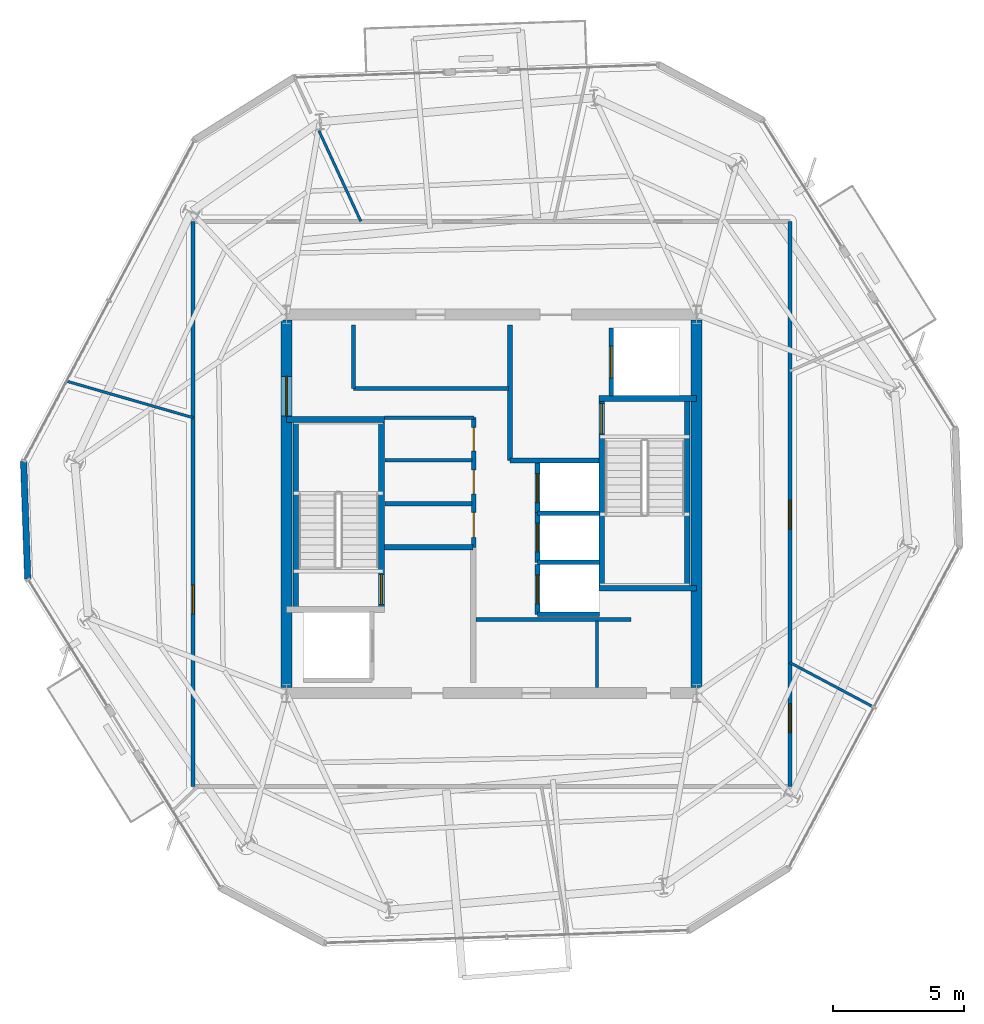
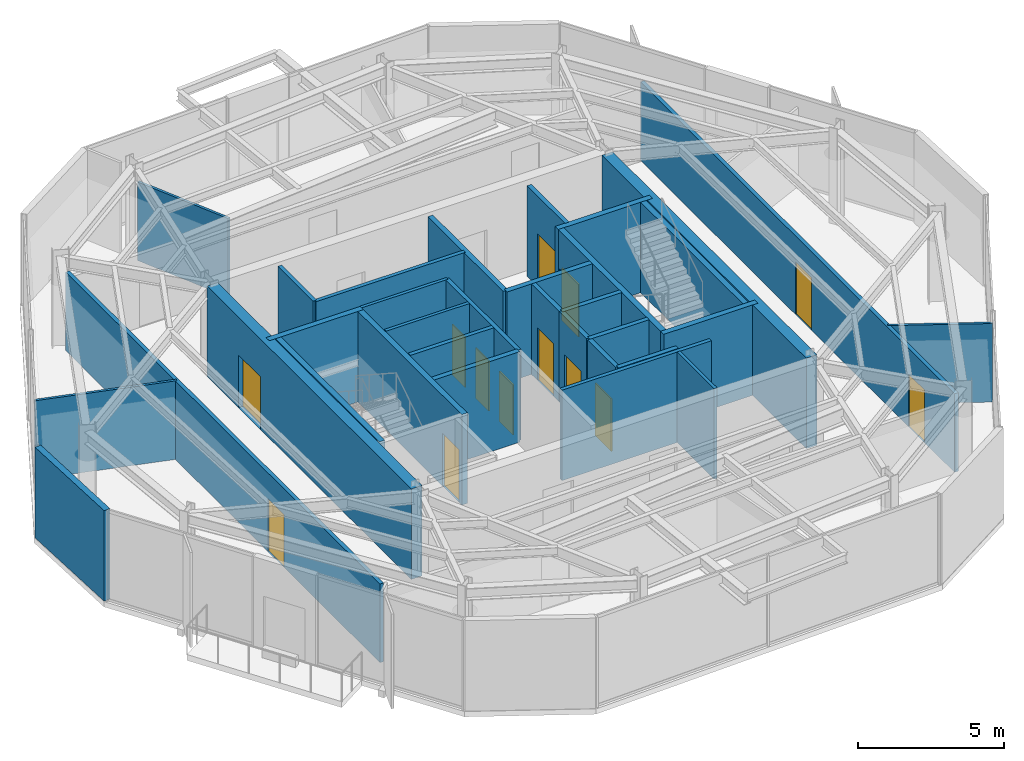
# One storey, part 6 of 11: 33 walls, 13 doors, 13 openings.
"""IFC4 building model written with IfcOpenShell, lengths in metres."""

from ifc_helpers import new_model, si_unit, direction, frame, frame_2d, origin, place, context, subcontext, project, spatial, rectangle, extrude, material, layer, layer_set, type_object, element, fill, save


model = new_model("IFC4")

# Units and contexts
model_context = context("Model", 3, precision=1e-05, world=origin(), true_north=direction((0.0, 1.0)))
body_context = subcontext(model_context, "Body", "Model", "MODEL_VIEW")
ifc_project = project(units=[si_unit("LENGTHUNIT", "METRE"), si_unit("AREAUNIT", "SQUARE_METRE"), si_unit("VOLUMEUNIT", "CUBIC_METRE"), si_unit("PLANEANGLEUNIT", "RADIAN"), si_unit("MASSUNIT", "GRAM", prefix="KILO")], contexts=[model_context])

# Site, building, storey
site_placement = place(None, origin())
site = spatial("IfcSite", under=ifc_project, at=site_placement, CompositionType="ELEMENT")
building_placement = place(site_placement, origin())
building = spatial("IfcBuilding", under=site, at=building_placement, Name="Kranzbogen Civic Tower", CompositionType="ELEMENT")
storey_placement = place(building_placement, frame((0.0, 0.0, 274.199951171875)))
storey = spatial("IfcBuildingStorey", under=building, at=storey_placement, Name="L66", CompositionType="ELEMENT", Elevation=274.199951171875)

# Walls
ifc_material_1 = material(Name="Double-Stud Acoustic Gypsum Partition")
ifc_layer_1 = layer(ifc_material_1, 0.14990234375, Name="Double-Stud Acoustic Gypsum Partition")
ifc_layer_set_1 = layer_set([ifc_layer_1], Name="Double-Stud Acoustic Gypsum Partition")
wall_type_1 = type_object("IfcWallType", Name="Acoustic Corridor and Clinical Partition 150 mm", PredefinedType="PARTITIONING", material=ifc_layer_set_1)
wall_1_placement = place(storey_placement, frame((24.39990234375, 20.610107421875, 0.0), z_axis=(0.0, 0.0, 1.0), x_axis=(1.0, 0.0, 0.0)))
element("IfcWall", 1, at=wall_1_placement, inside=storey, type_object=wall_type_1, Name="L66 records zone North wall", PredefinedType="PARTITIONING", context=body_context, shape_type="SweptSolid", body=[
    extrude(rectangle(XDim=5.900146484375, YDim=0.14990234375, at=frame_2d((2.9501953125, 0.0))), origin(), (0.0, 0.0, 1.0), 3.780029296875),
])
wall_2_placement = place(storey_placement, frame((19.75, 29.389892578125, 0.0), z_axis=(0.0, 0.0, 1.0), x_axis=(1.0, 0.0, 0.0)))
element("IfcWall", 2, at=wall_2_placement, inside=storey, type_object=wall_type_1, Name="L66 digital comms South wall", PredefinedType="PARTITIONING", context=body_context, shape_type="SweptSolid", body=[
    extrude(rectangle(XDim=5.89990234375, YDim=0.14990234375, at=frame_2d((2.949951171875, 0.0))), origin(), (0.0, 0.0, 1.0), 3.780029296875),
])
wall_3_placement = place(storey_placement, frame((19.75, 29.389892578125, 0.0), z_axis=(0.0, 0.0, 1.0), x_axis=(0.0, 1.0, 0.0)))
element("IfcWall", 3, at=wall_3_placement, inside=storey, type_object=wall_type_1, Name="L66 digital comms West wall", PredefinedType="PARTITIONING", context=body_context, shape_type="SweptSolid", body=[
    extrude(rectangle(XDim=2.41015625, YDim=0.14990234375, at=frame_2d((1.205078125, 0.0))), origin(), (0.0, 0.0, 1.0), 3.780029296875),
])

# Wall, openings, doors
wall_4_placement = place(storey_placement, frame((36.35009765625, 35.75, 0.0), z_axis=(0.0, 0.0, 1.0), x_axis=(0.0, -1.0, 0.0)))
wall_4 = element("IfcWall", 4, at=wall_4_placement, inside=storey, type_object=wall_type_1, Name="L66 corridor partition 02", PredefinedType="PARTITIONING", context=body_context, shape_type="SweptSolid", body=[
    extrude(rectangle(XDim=21.5, YDim=0.14990234375, at=frame_2d((10.75, 0.0))), origin(), (0.0, 0.0, 1.0), 3.280029296875),
])
opening_1_placement = place(wall_4_placement, frame((18.343994140625, 0.0, 0.0)))
opening_1 = element("IfcOpeningElement", 5, at=opening_1_placement, cuts=wall_4, Name="Opening D-COR60", PredefinedType="OPENING", context=body_context, shape_type="SweptSolid", body=[
    extrude(rectangle(XDim=1.10009765625, YDim=2.199951171875, at=frame_2d((0.550048828125, 1.10009765625))), frame((0.0, 0.0849609375, 0.0), z_axis=(0.0, -1.0, 0.0), x_axis=(1.0, 0.0, 0.0)), (0.0, 0.0, 1.0), 0.169921875),
])
opening_2_placement = place(wall_4_placement, frame((10.60595703125, 0.0, 0.0)))
opening_2 = element("IfcOpeningElement", 6, at=opening_2_placement, cuts=wall_4, Name="Opening D-COR60", PredefinedType="OPENING", context=body_context, shape_type="SweptSolid", body=[
    extrude(rectangle(XDim=1.10009765625, YDim=2.199951171875, at=frame_2d((0.550048828125, 1.10009765625))), frame((0.0, 0.0849609375, 0.0), z_axis=(0.0, -1.0, 0.0), x_axis=(1.0, 0.0, 0.0)), (0.0, 0.0, 1.0), 0.169921875),
])
ifc_material_2 = material(Name="Oak Timber and Fire Core", Category="wood")
door_type_1 = type_object("IfcDoorType", Name="Corridor Acoustic Fire Door 1100x2200", OperationType="NOTDEFINED", PredefinedType="DOOR", material=ifc_material_2)
door_1_placement = place(opening_1_placement, origin())
door_1 = element("IfcDoor", 7, at=door_1_placement, inside=storey, type_object=door_type_1, Name="L66 Duty Crew Control Room door", OperationType="SINGLE_SWING_LEFT", OverallHeight=2.199951171875, OverallWidth=1.10009765625, PredefinedType="DOOR", context=body_context, shape_type="SweptSolid", body=[
    extrude(rectangle(XDim=1.10009765625, YDim=2.199951171875, at=frame_2d((0.550048828125, 1.10009765625))), frame((0.0, 0.02490234375, 0.0), z_axis=(0.0, -1.0, 0.0), x_axis=(1.0, 0.0, 0.0)), (0.0, 0.0, 1.0), 0.050048828125),
])
fill(opening_1, door_1)
door_2_placement = place(opening_2_placement, origin())
door_2 = element("IfcDoor", 8, at=door_2_placement, inside=storey, type_object=door_type_1, Name="L66 Staff Tea Pantry door", OperationType="SINGLE_SWING_RIGHT", OverallHeight=2.199951171875, OverallWidth=1.10009765625, PredefinedType="DOOR", context=body_context, shape_type="SweptSolid", body=[
    extrude(rectangle(XDim=1.10009765625, YDim=2.199951171875, at=frame_2d((0.550048828125, 1.10009765625))), frame((0.0, 0.02490234375, 0.0), z_axis=(0.0, -1.0, 0.0), x_axis=(1.0, 0.0, 0.0)), (0.0, 0.0, 1.0), 0.050048828125),
])
fill(opening_2, door_2)

# Wall, opening, door
wall_5_placement = place(storey_placement, frame((13.64990234375, 14.25, 0.0), z_axis=(0.0, 0.0, 1.0), x_axis=(0.0, 1.0, 0.0)))
wall_5 = element("IfcWall", 9, at=wall_5_placement, inside=storey, type_object=wall_type_1, Name="L66 corridor partition 04", PredefinedType="PARTITIONING", context=body_context, shape_type="SweptSolid", body=[
    extrude(rectangle(XDim=21.5, YDim=0.14990234375, at=frame_2d((10.75, 0.0))), origin(), (0.0, 0.0, 1.0), 3.280029296875),
])
opening_3_placement = place(wall_5_placement, frame((6.568115234375, 0.0, 0.0)))
opening_3 = element("IfcOpeningElement", 10, at=opening_3_placement, cuts=wall_5, Name="Opening D-COR60", PredefinedType="OPENING", context=body_context, shape_type="SweptSolid", body=[
    extrude(rectangle(XDim=1.10009765625, YDim=2.199951171875, at=frame_2d((0.550048828125, 1.10009765625))), frame((0.0, 0.0849609375, 0.0), z_axis=(0.0, -1.0, 0.0), x_axis=(1.0, 0.0, 0.0)), (0.0, 0.0, 1.0), 0.169921875),
])
door_3_placement = place(opening_3_placement, origin())
door_3 = element("IfcDoor", 11, at=door_3_placement, inside=storey, type_object=door_type_1, Name="L66 Operations Security Control Room door", OperationType="SINGLE_SWING_LEFT", OverallHeight=2.199951171875, OverallWidth=1.10009765625, PredefinedType="DOOR", context=body_context, shape_type="SweptSolid", body=[
    extrude(rectangle(XDim=1.10009765625, YDim=2.199951171875, at=frame_2d((0.550048828125, 1.10009765625))), frame((0.0, 0.02490234375, 0.0), z_axis=(0.0, -1.0, 0.0), x_axis=(1.0, 0.0, 0.0)), (0.0, 0.0, 1.0), 0.050048828125),
])
fill(opening_3, door_3)

# Walls
ifc_material_3 = material(Name="Insulated Metal-Stud Gypsum Partition")
ifc_layer_2 = layer(ifc_material_3, 0.125, Name="Insulated Metal-Stud Gypsum Partition")
ifc_layer_set_2 = layer_set([ifc_layer_2], Name="Insulated Metal-Stud Gypsum Partition")
wall_type_2 = type_object("IfcWallType", Name="Acoustic Inter-Room Partition 125 mm", PredefinedType="PARTITIONING", material=ifc_layer_set_2)
wall_6_placement = place(storey_placement, frame((20.919921875, 28.280029296875, 0.0), z_axis=(0.0, 0.0, 1.0), x_axis=(1.0, 0.0, 0.0)))
element("IfcWall", 12, at=wall_6_placement, inside=storey, type_object=wall_type_2, Name="L66 core auxiliary North wall", PredefinedType="PARTITIONING", context=body_context, shape_type="SweptSolid", body=[
    extrude(rectangle(XDim=3.405029296875, YDim=0.125, at=frame_2d((1.70263671875, 0.0))), origin(), (0.0, 0.0, 1.0), 3.780029296875),
])
wall_7_placement = place(storey_placement, frame((29.010009765625, 18.010009765625, 0.0), z_axis=(0.0, 0.0, 1.0), x_axis=(0.0, 1.0, 0.0)))
element("IfcWall", 13, at=wall_7_placement, inside=storey, type_object=wall_type_2, Name="L66 core auxiliary partition 1", PredefinedType="PARTITIONING", context=body_context, shape_type="SweptSolid", body=[
    extrude(rectangle(XDim=2.5400390625, YDim=0.125, at=frame_2d((1.27001953125, 0.0))), origin(), (0.0, 0.0, 1.0), 3.780029296875),
])
wall_8_placement = place(storey_placement, frame((20.949951171875, 26.659912109375, 0.0), z_axis=(0.0, 0.0, 1.0), x_axis=(1.0, 0.0, 0.0)))
element("IfcWall", 14, at=wall_8_placement, inside=storey, type_object=wall_type_2, Name="L66 core auxiliary partition 3", PredefinedType="PARTITIONING", context=body_context, shape_type="SweptSolid", body=[
    extrude(rectangle(XDim=3.300048828125, YDim=0.125, at=frame_2d((1.64990234375, 0.0))), origin(), (0.0, 0.0, 1.0), 3.780029296875),
])

# Wall, opening, door
ifc_material_4 = material(Name="Concrete C45/55", Category="concrete")
ifc_layer_3 = layer(ifc_material_4, 0.419921875, Name="Concrete C45/55")
ifc_layer_set_3 = layer_set([ifc_layer_3], Name="Concrete C45/55")
wall_type_3 = type_object("IfcWallType", Name="Central Core Shear Wall 420 mm", PredefinedType="SHEAR", material=ifc_layer_set_3)
wall_9_placement = place(storey_placement, frame((17.199951171875, 31.989990234375, 0.0), z_axis=(0.0, 0.0, 1.0), x_axis=(0.0, -1.0, 0.0)))
wall_9 = element("IfcWall", 15, at=wall_9_placement, inside=storey, type_object=wall_type_3, Name="L66 central core West shear wall", PredefinedType="SHEAR", context=body_context, shape_type="SweptSolid", body=[
    extrude(rectangle(XDim=13.97998046875, YDim=0.419921875, at=frame_2d((6.989990234375, 0.0))), origin(), (0.0, 0.0, 1.0), 3.780029296875),
])
opening_4_placement = place(wall_9_placement, frame((2.139892578125, 0.0, 0.0)))
opening_4 = element("IfcOpeningElement", 16, at=opening_4_placement, cuts=wall_9, Name="Opening D-DBL15", PredefinedType="OPENING", context=body_context, shape_type="SweptSolid", body=[
    extrude(rectangle(XDim=1.5, YDim=2.199951171875, at=frame_2d((0.75, 1.10009765625))), frame((0.0, 0.219970703125, 0.0), z_axis=(0.0, -1.0, 0.0), x_axis=(1.0, 0.0, 0.0)), (0.0, 0.0, 1.0), 0.43994140625),
])
ifc_material_5 = material(Name="Anodised Bronze and Glass", Category="glass")
door_type_2 = type_object("IfcDoorType", Name="Civic Lobby Double Door 1500x2200", OperationType="DOUBLE_DOOR_SINGLE_SWING", PredefinedType="DOOR", material=ifc_material_5)
door_4_placement = place(opening_4_placement, origin())
door_4 = element("IfcDoor", 17, at=door_4_placement, inside=storey, type_object=door_type_2, Name="L66 Central Lift Lobby West concourse door", OperationType="DOUBLE_DOOR_SINGLE_SWING", OverallHeight=2.199951171875, OverallWidth=1.5, PredefinedType="DOOR", context=body_context, shape_type="SweptSolid", body=[
    extrude(rectangle(XDim=1.5, YDim=2.199951171875, at=frame_2d((0.75, 1.10009765625))), frame((0.0, 0.02490234375, 0.0), z_axis=(0.0, -1.0, 0.0), x_axis=(1.0, 0.0, 0.0)), (0.0, 0.0, 1.0), 0.050048828125),
])
fill(opening_4, door_4)

# Wall
wall_10_placement = place(storey_placement, frame((32.800048828125, 18.010009765625, 0.0), z_axis=(0.0, 0.0, 1.0), x_axis=(0.0, 1.0, 0.0)))
element("IfcWall", 18, at=wall_10_placement, inside=storey, type_object=wall_type_3, Name="L66 central core East shear wall", PredefinedType="SHEAR", context=body_context, shape_type="SweptSolid", body=[
    extrude(rectangle(XDim=13.97998046875, YDim=0.419921875, at=frame_2d((6.989990234375, 0.0))), origin(), (0.0, 0.0, 1.0), 3.780029296875),
])

# Wall, opening, door
ifc_layer_4 = layer(ifc_material_4, 0.219970703125, Name="Concrete C45/55")
ifc_layer_set_4 = layer_set([ifc_layer_4], Name="Concrete C45/55")
wall_type_4 = type_object("IfcWallType", Name="Core Internal Stair Structural Wall 220 mm", PredefinedType="SOLIDWALL", material=ifc_layer_set_4)
wall_11_placement = place(storey_placement, frame((20.81005859375, 20.989990234375, 0.0), z_axis=(0.0, 0.0, 1.0), x_axis=(0.0, 1.0, 0.0)))
wall_11 = element("IfcWall", 19, at=wall_11_placement, inside=storey, type_object=wall_type_4, Name="L66 ST-T1 East structural stair wall", PredefinedType="SOLIDWALL", context=body_context, shape_type="SweptSolid", body=[
    extrude(rectangle(XDim=7.219970703125, YDim=0.219970703125, at=frame_2d((3.60986328125, 0.0))), origin(), (0.0, 0.0, 1.0), 3.780029296875),
])
opening_5_placement = place(wall_11_placement, frame((0.179931640625, 0.0, 0.0)))
opening_5 = element("IfcOpeningElement", 20, at=opening_5_placement, cuts=wall_11, Name="Opening D-ST90", PredefinedType="OPENING", context=body_context, shape_type="SweptSolid", body=[
    extrude(rectangle(XDim=1.14990234375, YDim=2.199951171875, at=frame_2d((0.574951171875, 1.10009765625))), frame((0.0, 0.1201171875, 0.0), z_axis=(0.0, -1.0, 0.0), x_axis=(1.0, 0.0, 0.0)), (0.0, 0.0, 1.0), 0.239990234375),
])
ifc_material_6 = material(Name="Steel S355", Category="steel")
door_type_3 = type_object("IfcDoorType", Name="Pressurized Stair and Lobby Fire Door 1150x2200", OperationType="NOTDEFINED", PredefinedType="DOOR", material=ifc_material_6)
door_5_placement = place(opening_5_placement, origin())
door_5 = element("IfcDoor", 21, at=door_5_placement, inside=storey, type_object=door_type_3, Name="L66 Stair ST-T1 fire door", OperationType="SINGLE_SWING_LEFT", OverallHeight=2.199951171875, OverallWidth=1.14990234375, PredefinedType="DOOR", context=body_context, shape_type="SweptSolid", body=[
    extrude(rectangle(XDim=1.14990234375, YDim=2.199951171875, at=frame_2d((0.574951171875, 1.10009765625))), frame((0.0, 0.02490234375, 0.0), z_axis=(0.0, -1.0, 0.0), x_axis=(1.0, 0.0, 0.0)), (0.0, 0.0, 1.0), 0.050048828125),
])
fill(opening_5, door_5)

# Walls
wall_12_placement = place(storey_placement, frame((17.199951171875, 28.2099609375, 0.0), z_axis=(0.0, 0.0, 1.0), x_axis=(1.0, 0.0, 0.0)))
element("IfcWall", 22, at=wall_12_placement, inside=storey, type_object=wall_type_4, Name="L66 ST-T1 North structural stair wall", PredefinedType="SOLIDWALL", context=body_context, shape_type="SweptSolid", body=[
    extrude(rectangle(XDim=3.719970703125, YDim=0.219970703125, at=frame_2d((1.85986328125, 0.0))), origin(), (0.0, 0.0, 1.0), 3.780029296875),
])
wall_13_placement = place(storey_placement, frame((17.554931640625, 28.2099609375, 0.0), z_axis=(0.0, 0.0, 1.0), x_axis=(0.0, -1.0, 0.0)))
element("IfcWall", 23, at=wall_13_placement, inside=storey, type_object=wall_type_4, Name="L66 ST-T1 West structural stair wall", PredefinedType="SOLIDWALL", context=body_context, shape_type="SweptSolid", body=[
    extrude(rectangle(XDim=7.219970703125, YDim=0.219970703125, at=frame_2d((3.60986328125, 0.0))), origin(), (0.0, 0.0, 1.0), 3.780029296875),
])

# Wall, opening, door
wall_14_placement = place(storey_placement, frame((29.18994140625, 21.7900390625, 0.0), z_axis=(0.0, 0.0, 1.0), x_axis=(0.0, 1.0, 0.0)))
wall_14 = element("IfcWall", 24, at=wall_14_placement, inside=storey, type_object=wall_type_4, Name="L66 ST-T2 West structural stair wall", PredefinedType="SOLIDWALL", context=body_context, shape_type="SweptSolid", body=[
    extrude(rectangle(XDim=7.219970703125, YDim=0.219970703125, at=frame_2d((3.60986328125, 0.0))), origin(), (0.0, 0.0, 1.0), 3.780029296875),
])
opening_6_placement = place(wall_14_placement, frame((5.8798828125, 0.0, 0.0)))
opening_6 = element("IfcOpeningElement", 25, at=opening_6_placement, cuts=wall_14, Name="Opening D-ST90", PredefinedType="OPENING", context=body_context, shape_type="SweptSolid", body=[
    extrude(rectangle(XDim=1.14990234375, YDim=2.199951171875, at=frame_2d((0.574951171875, 1.10009765625))), frame((0.0, 0.1201171875, 0.0), z_axis=(0.0, -1.0, 0.0), x_axis=(1.0, 0.0, 0.0)), (0.0, 0.0, 1.0), 0.239990234375),
])
door_6_placement = place(opening_6_placement, origin())
door_6 = element("IfcDoor", 26, at=door_6_placement, inside=storey, type_object=door_type_3, Name="L66 Stair ST-T2 fire door", OperationType="SINGLE_SWING_RIGHT", OverallHeight=2.199951171875, OverallWidth=1.14990234375, PredefinedType="DOOR", context=body_context, shape_type="SweptSolid", body=[
    extrude(rectangle(XDim=1.14990234375, YDim=2.199951171875, at=frame_2d((0.574951171875, 1.10009765625))), frame((0.0, 0.02490234375, 0.0), z_axis=(0.0, -1.0, 0.0), x_axis=(1.0, 0.0, 0.0)), (0.0, 0.0, 1.0), 0.050048828125),
])
fill(opening_6, door_6)

# Walls
for number, where, z_axis, x_axis, name in (
    (27, (29.080078125, 21.7900390625, 0.0), (0.0, 0.0, 1.0), (1.0, 0.0, 0.0), "L66 ST-T2 South structural stair wall"),
    (28, (29.080078125, 29.010009765625, 0.0), (0.0, 0.0, 1.0), (1.0, 0.0, 0.0), "L66 ST-T2 North structural stair wall"),
):
    element("IfcWall", number, at=place(storey_placement, frame(where, z_axis=z_axis, x_axis=x_axis)), inside=storey, type_object=wall_type_4, Name=name, PredefinedType="SOLIDWALL", context=body_context, shape_type="SweptSolid", body=[
        extrude(rectangle(XDim=3.719970703125, YDim=0.219970703125, at=frame_2d((1.85986328125, 0.0))), origin(), (0.0, 0.0, 1.0), 3.780029296875),
    ])
wall_15_placement = place(storey_placement, frame((32.445068359375, 29.010009765625, 0.0), z_axis=(0.0, 0.0, 1.0), x_axis=(0.0, -1.0, 0.0)))
element("IfcWall", 29, at=wall_15_placement, inside=storey, type_object=wall_type_4, Name="L66 ST-T2 East structural stair wall", PredefinedType="SOLIDWALL", context=body_context, shape_type="SweptSolid", body=[
    extrude(rectangle(XDim=7.219970703125, YDim=0.219970703125, at=frame_2d((3.60986328125, 0.0))), origin(), (0.0, 0.0, 1.0), 3.780029296875),
])
ifc_material_7 = material(Name="Demountable Aluminium and Gypsum Partition", Category="aluminium")
ifc_layer_5 = layer(ifc_material_7, 0.10009765625, Name="Demountable Aluminium and Gypsum Partition")
ifc_layer_set_5 = layer_set([ifc_layer_5], Name="Demountable Aluminium and Gypsum Partition")
wall_type_5 = type_object("IfcWallType", Name="Demountable Office Partition 100 mm", PredefinedType="MOVABLE", material=ifc_layer_set_5)
wall_16_placement = place(storey_placement, frame((20.027099609375, 35.75, 0.0), z_axis=(0.0, 0.0, 1.0), x_axis=(-0.419820544202, 0.907607134539, 0.0)))
element("IfcWall", 30, at=wall_16_placement, inside=storey, type_object=wall_type_5, Name="L66 radial room partition 01 part 1", PredefinedType="MOVABLE", context=body_context, shape_type="SweptSolid", body=[
    extrude(rectangle(XDim=3.796875, YDim=0.10009765625, at=frame_2d((1.8984375, 0.0))), origin(), (0.0, 0.0, 1.0), 3.280029296875),
])
wall_17_placement = place(storey_placement, frame((13.64990234375, 28.280029296875, 0.0), z_axis=(0.0, 0.0, 1.0), x_axis=(-0.960722281135, 0.277511618731, 0.0)))
element("IfcWall", 31, at=wall_17_placement, inside=storey, type_object=wall_type_5, Name="L66 radial room partition 02", PredefinedType="MOVABLE", context=body_context, shape_type="SweptSolid", body=[
    extrude(rectangle(XDim=5.00146484375, YDim=0.10009765625, at=frame_2d((2.500732421875, 0.0))), origin(), (0.0, 0.0, 1.0), 3.280029296875),
])
wall_18_placement = place(storey_placement, frame((36.35009765625, 18.965087890625, 0.0), z_axis=(0.0, 0.0, 1.0), x_axis=(0.882958513107, -0.46945102421, 0.0)))
element("IfcWall", 32, at=wall_18_placement, inside=storey, type_object=wall_type_5, Name="L66 radial room partition 05", PredefinedType="MOVABLE", context=body_context, shape_type="SweptSolid", body=[
    extrude(rectangle(XDim=3.600341796875, YDim=0.10009765625, at=frame_2d((1.80029296875, 0.0))), origin(), (0.0, 0.0, 1.0), 3.280029296875),
])
ifc_material_8 = material(Name="Gypsum Fireboard and Concrete Block", Category="concrete")
ifc_layer_6 = layer(ifc_material_8, 0.199951171875, Name="Gypsum Fireboard and Concrete Block")
ifc_layer_set_6 = layer_set([ifc_layer_6], Name="Gypsum Fireboard and Concrete Block")
wall_type_6 = type_object("IfcWallType", Name="Fire-Rated Exit Passageway and Stair Wall 200 mm", PredefinedType="PARTITIONING", material=ifc_layer_set_6)
wall_19_placement = place(storey_placement, frame((20.919921875, 23.35009765625, 0.0), z_axis=(0.0, 0.0, 1.0), x_axis=(1.0, 0.0, 0.0)))
element("IfcWall", 33, at=wall_19_placement, inside=storey, type_object=wall_type_6, Name="L66 West firefighting lobby North wall", PredefinedType="PARTITIONING", context=body_context, shape_type="SweptSolid", body=[
    extrude(rectangle(XDim=3.380126953125, YDim=0.199951171875, at=frame_2d((1.68994140625, 0.0))), origin(), (0.0, 0.0, 1.0), 3.780029296875),
])
wall_20_placement = place(storey_placement, frame((25.699951171875, 26.64990234375, 0.0), z_axis=(0.0, 0.0, 1.0), x_axis=(0.0, 1.0, 0.0)))
element("IfcWall", 34, at=wall_20_placement, inside=storey, type_object=wall_type_6, Name="L66 East firefighting lobby West wall", PredefinedType="PARTITIONING", context=body_context, shape_type="SweptSolid", body=[
    extrude(rectangle(XDim=5.150146484375, YDim=0.199951171875, at=frame_2d((2.5751953125, 0.0))), origin(), (0.0, 0.0, 1.0), 3.780029296875),
])
wall_21_placement = place(storey_placement, frame((25.699951171875, 26.64990234375, 0.0), z_axis=(0.0, 0.0, 1.0), x_axis=(1.0, 0.0, 0.0)))
element("IfcWall", 35, at=wall_21_placement, inside=storey, type_object=wall_type_6, Name="L66 East firefighting lobby South wall", PredefinedType="PARTITIONING", context=body_context, shape_type="SweptSolid", body=[
    extrude(rectangle(XDim=3.380126953125, YDim=0.199951171875, at=frame_2d((1.68994140625, 0.0))), origin(), (0.0, 0.0, 1.0), 3.780029296875),
])

# Wall, opening, door
ifc_material_9 = material(Name="Gypsum Fireboard Shaftliner")
ifc_layer_7 = layer(ifc_material_9, 0.175048828125, Name="Gypsum Fireboard Shaftliner")
ifc_layer_set_7 = layer_set([ifc_layer_7], Name="Gypsum Fireboard Shaftliner")
wall_type_7 = type_object("IfcWallType", Name="Fire-Rated Lift and Service Shaft Wall 175 mm", PredefinedType="PARTITIONING", material=ifc_layer_set_7)
wall_22_placement = place(storey_placement, frame((26.75, 20.800048828125, 0.0), z_axis=(0.0, 0.0, 1.0), x_axis=(0.0, 1.0, 0.0)))
wall_22 = element("IfcWall", 36, at=wall_22_placement, inside=storey, type_object=wall_type_7, Name="L66 lift HP-01 landing wall", PredefinedType="PARTITIONING", context=body_context, shape_type="SweptSolid", body=[
    extrude(rectangle(XDim=1.89990234375, YDim=0.175048828125, at=frame_2d((0.949951171875, 0.0))), origin(), (0.0, 0.0, 1.0), 3.780029296875),
])
opening_7_placement = place(wall_22_placement, frame((0.39990234375, 0.0, 0.0)))
opening_7 = element("IfcOpeningElement", 37, at=opening_7_placement, cuts=wall_22, Name="Opening LD-HP-01", PredefinedType="OPENING", context=body_context, shape_type="SweptSolid", body=[
    extrude(rectangle(XDim=1.10009765625, YDim=2.199951171875, at=frame_2d((0.550048828125, 1.10009765625))), frame((0.0, 0.09765625, 0.0), z_axis=(0.0, -1.0, 0.0), x_axis=(1.0, 0.0, 0.0)), (0.0, 0.0, 1.0), 0.195068359375),
])
ifc_material_10 = material(Name="Pale Anodised Aluminium", Category="aluminium")
door_type_4 = type_object("IfcDoorType", Name="Passenger Lift Sliding Landing Door 1100x2200", OperationType="DOUBLE_DOOR_SLIDING", PredefinedType="DOOR", material=ifc_material_10)
door_7_placement = place(opening_7_placement, origin())
door_7 = element("IfcDoor", 38, at=door_7_placement, inside=storey, type_object=door_type_4, Name="L66 lift HP-01 sliding landing door", OperationType="DOUBLE_DOOR_SLIDING", OverallHeight=2.199951171875, OverallWidth=1.10009765625, PredefinedType="DOOR", context=body_context, shape_type="SweptSolid", body=[
    extrude(rectangle(XDim=1.10009765625, YDim=2.199951171875, at=frame_2d((0.550048828125, 1.10009765625))), frame((0.0, 0.02490234375, 0.0), z_axis=(0.0, -1.0, 0.0), x_axis=(1.0, 0.0, 0.0)), (0.0, 0.0, 1.0), 0.050048828125),
])
fill(opening_7, door_7)

# Wall
wall_23_placement = place(storey_placement, frame((26.75, 20.800048828125, 0.0), z_axis=(0.0, 0.0, 1.0), x_axis=(1.0, 0.0, 0.0)))
element("IfcWall", 39, at=wall_23_placement, inside=storey, type_object=wall_type_7, Name="L66 lift HP-01 side wall", PredefinedType="PARTITIONING", context=body_context, shape_type="SweptSolid", body=[
    extrude(rectangle(XDim=2.35009765625, YDim=0.175048828125, at=frame_2d((1.175048828125, 0.0))), origin(), (0.0, 0.0, 1.0), 3.780029296875),
])

# Wall, opening, door
wall_24_placement = place(storey_placement, frame((26.75, 22.77490234375, 0.0), z_axis=(0.0, 0.0, 1.0), x_axis=(0.0, 1.0, 0.0)))
wall_24 = element("IfcWall", 40, at=wall_24_placement, inside=storey, type_object=wall_type_7, Name="L66 lift HP-02 landing wall", PredefinedType="PARTITIONING", context=body_context, shape_type="SweptSolid", body=[
    extrude(rectangle(XDim=1.900146484375, YDim=0.175048828125, at=frame_2d((0.9501953125, 0.0))), origin(), (0.0, 0.0, 1.0), 3.780029296875),
])
opening_8_placement = place(wall_24_placement, frame((0.39990234375, 0.0, 0.0)))
opening_8 = element("IfcOpeningElement", 41, at=opening_8_placement, cuts=wall_24, Name="Opening LD-HP-02", PredefinedType="OPENING", context=body_context, shape_type="SweptSolid", body=[
    extrude(rectangle(XDim=1.10009765625, YDim=2.199951171875, at=frame_2d((0.550048828125, 1.10009765625))), frame((0.0, 0.09765625, 0.0), z_axis=(0.0, -1.0, 0.0), x_axis=(1.0, 0.0, 0.0)), (0.0, 0.0, 1.0), 0.195068359375),
])
door_8_placement = place(opening_8_placement, origin())
door_8 = element("IfcDoor", 42, at=door_8_placement, inside=storey, type_object=door_type_4, Name="L66 lift HP-02 sliding landing door", OperationType="DOUBLE_DOOR_SLIDING", OverallHeight=2.199951171875, OverallWidth=1.10009765625, PredefinedType="DOOR", context=body_context, shape_type="SweptSolid", body=[
    extrude(rectangle(XDim=1.10009765625, YDim=2.199951171875, at=frame_2d((0.550048828125, 1.10009765625))), frame((0.0, 0.02490234375, 0.0), z_axis=(0.0, -1.0, 0.0), x_axis=(1.0, 0.0, 0.0)), (0.0, 0.0, 1.0), 0.050048828125),
])
fill(opening_8, door_8)

# Wall
wall_25_placement = place(storey_placement, frame((26.75, 22.77490234375, 0.0), z_axis=(0.0, 0.0, 1.0), x_axis=(1.0, 0.0, 0.0)))
element("IfcWall", 43, at=wall_25_placement, inside=storey, type_object=wall_type_7, Name="L66 lift HP-02 side wall", PredefinedType="PARTITIONING", context=body_context, shape_type="SweptSolid", body=[
    extrude(rectangle(XDim=2.35009765625, YDim=0.175048828125, at=frame_2d((1.175048828125, 0.0))), origin(), (0.0, 0.0, 1.0), 3.780029296875),
])

# Wall, opening, door
wall_26_placement = place(storey_placement, frame((26.75, 24.64990234375, 0.0), z_axis=(0.0, 0.0, 1.0), x_axis=(0.0, 1.0, 0.0)))
wall_26 = element("IfcWall", 44, at=wall_26_placement, inside=storey, type_object=wall_type_7, Name="L66 lift HP-03 landing wall", PredefinedType="PARTITIONING", context=body_context, shape_type="SweptSolid", body=[
    extrude(rectangle(XDim=1.900146484375, YDim=0.175048828125, at=frame_2d((0.9501953125, 0.0))), origin(), (0.0, 0.0, 1.0), 3.780029296875),
])
opening_9_placement = place(wall_26_placement, frame((0.39990234375, 0.0, 0.0)))
opening_9 = element("IfcOpeningElement", 45, at=opening_9_placement, cuts=wall_26, Name="Opening LD-HP-03", PredefinedType="OPENING", context=body_context, shape_type="SweptSolid", body=[
    extrude(rectangle(XDim=1.10009765625, YDim=2.199951171875, at=frame_2d((0.550048828125, 1.10009765625))), frame((0.0, 0.09765625, 0.0), z_axis=(0.0, -1.0, 0.0), x_axis=(1.0, 0.0, 0.0)), (0.0, 0.0, 1.0), 0.195068359375),
])
door_9_placement = place(opening_9_placement, origin())
door_9 = element("IfcDoor", 46, at=door_9_placement, inside=storey, type_object=door_type_4, Name="L66 lift HP-03 sliding landing door", OperationType="DOUBLE_DOOR_SLIDING", OverallHeight=2.199951171875, OverallWidth=1.10009765625, PredefinedType="DOOR", context=body_context, shape_type="SweptSolid", body=[
    extrude(rectangle(XDim=1.10009765625, YDim=2.199951171875, at=frame_2d((0.550048828125, 1.10009765625))), frame((0.0, 0.02490234375, 0.0), z_axis=(0.0, -1.0, 0.0), x_axis=(1.0, 0.0, 0.0)), (0.0, 0.0, 1.0), 0.050048828125),
])
fill(opening_9, door_9)

# Wall
wall_27_placement = place(storey_placement, frame((26.75, 24.64990234375, 0.0), z_axis=(0.0, 0.0, 1.0), x_axis=(1.0, 0.0, 0.0)))
element("IfcWall", 47, at=wall_27_placement, inside=storey, type_object=wall_type_7, Name="L66 lift HP-03 side wall", PredefinedType="PARTITIONING", context=body_context, shape_type="SweptSolid", body=[
    extrude(rectangle(XDim=2.35009765625, YDim=0.175048828125, at=frame_2d((1.175048828125, 0.0))), origin(), (0.0, 0.0, 1.0), 3.780029296875),
])

# Wall, opening, door
wall_28_placement = place(storey_placement, frame((29.550048828125, 29.10009765625, 0.0), z_axis=(0.0, 0.0, 1.0), x_axis=(0.0, 1.0, 0.0)))
wall_28 = element("IfcWall", 48, at=wall_28_placement, inside=storey, type_object=wall_type_7, Name="L66 lift FF-02 landing wall", PredefinedType="PARTITIONING", context=body_context, shape_type="SweptSolid", body=[
    extrude(rectangle(XDim=2.599853515625, YDim=0.175048828125, at=frame_2d((1.2998046875, 0.0))), origin(), (0.0, 0.0, 1.0), 3.780029296875),
])
opening_10_placement = place(wall_28_placement, frame((0.699951171875, 0.0, 0.0)))
opening_10 = element("IfcOpeningElement", 49, at=opening_10_placement, cuts=wall_28, Name="Opening LD-FF-02", PredefinedType="OPENING", context=body_context, shape_type="SweptSolid", body=[
    extrude(rectangle(XDim=1.199951171875, YDim=2.199951171875, at=frame_2d((0.60009765625, 1.10009765625))), frame((0.0, 0.09765625, 0.0), z_axis=(0.0, -1.0, 0.0), x_axis=(1.0, 0.0, 0.0)), (0.0, 0.0, 1.0), 0.195068359375),
])
door_type_5 = type_object("IfcDoorType", Name="Firefighting and Stretcher Lift Sliding Landing Door 1200x2200", OperationType="DOUBLE_DOOR_SLIDING", PredefinedType="DOOR", material=ifc_material_10)
door_10_placement = place(opening_10_placement, origin())
door_10 = element("IfcDoor", 50, at=door_10_placement, inside=storey, type_object=door_type_5, Name="L66 lift FF-02 sliding landing door", OperationType="DOUBLE_DOOR_SLIDING", OverallHeight=2.199951171875, OverallWidth=1.199951171875, PredefinedType="DOOR", context=body_context, shape_type="SweptSolid", body=[
    extrude(rectangle(XDim=1.199951171875, YDim=2.199951171875, at=frame_2d((0.60009765625, 1.10009765625))), frame((0.0, 0.02490234375, 0.0), z_axis=(0.0, -1.0, 0.0), x_axis=(1.0, 0.0, 0.0)), (0.0, 0.0, 1.0), 0.050048828125),
])
fill(opening_10, door_10)

# Wall
ifc_layer_8 = layer(ifc_material_10, 0.239990234375, Name="Pale Anodised Aluminium")
ifc_layer_set_8 = layer_set([ifc_layer_8], Name="Pale Anodised Aluminium")
wall_type_8 = type_object("IfcWallType", Name="Insulated Aluminium Facade Portal Wall 240 mm", PredefinedType="STANDARD", material=ifc_layer_set_8)
wall_29_placement = place(storey_placement, frame((7.201904296875, 26.612060546875, 0.0), z_axis=(0.0, 0.0, 1.0), x_axis=(0.034940625932, -0.999389389907, 0.0)))
element("IfcWall", 51, at=wall_29_placement, inside=storey, type_object=wall_type_8, Name="L66 chamfered corner facade spandrel 2", PredefinedType="STANDARD", context=body_context, shape_type="SweptSolid", body=[
    extrude(rectangle(XDim=4.46484375, YDim=0.239990234375, at=frame_2d((2.232421875, 0.0))), origin(), (0.0, 0.0, 1.0), 3.780029296875),
])

# Wall, openings, doors
ifc_material_11 = material(Name="Moisture-Resistant Gypsum Assembly")
ifc_layer_9 = layer(ifc_material_11, 0.159912109375, Name="Moisture-Resistant Gypsum Assembly")
ifc_layer_set_9 = layer_set([ifc_layer_9], Name="Moisture-Resistant Gypsum Assembly")
wall_type_9 = type_object("IfcWallType", Name="Sanitary and Plumbing Wet Wall 160 mm", PredefinedType="PLUMBINGWALL", material=ifc_layer_set_9)
wall_30_placement = place(storey_placement, frame((24.324951171875, 23.35009765625, 0.0), z_axis=(0.0, 0.0, 1.0), x_axis=(0.0, 1.0, 0.0)))
wall_30 = element("IfcWall", 52, at=wall_30_placement, inside=storey, type_object=wall_type_9, Name="L66 core auxiliary East wall", PredefinedType="PLUMBINGWALL", context=body_context, shape_type="SweptSolid", body=[
    extrude(rectangle(XDim=4.929931640625, YDim=0.159912109375, at=frame_2d((2.46484375, 0.0))), origin(), (0.0, 0.0, 1.0), 3.780029296875),
])
opening_11_placement = place(wall_30_placement, frame((0.375, 0.0, 0.0)))
opening_11 = element("IfcOpeningElement", 53, at=opening_11_placement, cuts=wall_30, Name="Opening D-AWC95", PredefinedType="OPENING", context=body_context, shape_type="SweptSolid", body=[
    extrude(rectangle(XDim=0.949951171875, YDim=2.10009765625, at=frame_2d((0.47509765625, 1.050048828125))), frame((0.0, 0.08984375, 0.0), z_axis=(0.0, -1.0, 0.0), x_axis=(1.0, 0.0, 0.0)), (0.0, 0.0, 1.0), 0.179931640625),
])
opening_12_placement = place(wall_30_placement, frame((2.034912109375, 0.0, 0.0)))
opening_12 = element("IfcOpeningElement", 54, at=opening_12_placement, cuts=wall_30, Name="Opening D-WC90", PredefinedType="OPENING", context=body_context, shape_type="SweptSolid", body=[
    extrude(rectangle(XDim=0.89990234375, YDim=2.10009765625, at=frame_2d((0.449951171875, 1.050048828125))), frame((0.0, 0.08984375, 0.0), z_axis=(0.0, -1.0, 0.0), x_axis=(1.0, 0.0, 0.0)), (0.0, 0.0, 1.0), 0.179931640625),
])
opening_13_placement = place(wall_30_placement, frame((3.659912109375, 0.0, 0.0)))
opening_13 = element("IfcOpeningElement", 55, at=opening_13_placement, cuts=wall_30, Name="Opening D-WC90", PredefinedType="OPENING", context=body_context, shape_type="SweptSolid", body=[
    extrude(rectangle(XDim=0.89990234375, YDim=2.10009765625, at=frame_2d((0.449951171875, 1.050048828125))), frame((0.0, 0.08984375, 0.0), z_axis=(0.0, -1.0, 0.0), x_axis=(1.0, 0.0, 0.0)), (0.0, 0.0, 1.0), 0.179931640625),
])
ifc_material_12 = material(Name="Moisture-Resistant Laminate")
door_type_6 = type_object("IfcDoorType", Name="Accessible Restroom Door 950x2100", OperationType="NOTDEFINED", PredefinedType="DOOR", material=ifc_material_12)
door_11_placement = place(opening_11_placement, origin())
door_11 = element("IfcDoor", 56, at=door_11_placement, inside=storey, type_object=door_type_6, Name="L66 Accessible Restroom door", OperationType="SINGLE_SWING_LEFT", OverallHeight=2.10009765625, OverallWidth=0.949951171875, PredefinedType="DOOR", context=body_context, shape_type="SweptSolid", body=[
    extrude(rectangle(XDim=0.949951171875, YDim=2.10009765625, at=frame_2d((0.47509765625, 1.050048828125))), frame((0.0, 0.02490234375, 0.0), z_axis=(0.0, -1.0, 0.0), x_axis=(1.0, 0.0, 0.0)), (0.0, 0.0, 1.0), 0.050048828125),
])
fill(opening_11, door_11)
door_type_7 = type_object("IfcDoorType", Name="Standard Restroom and Store Door 900x2100", OperationType="NOTDEFINED", PredefinedType="DOOR", material=ifc_material_12)
door_12_placement = place(opening_12_placement, origin())
door_12 = element("IfcDoor", 57, at=door_12_placement, inside=storey, type_object=door_type_7, Name="L66 Staff Restroom door", OperationType="SINGLE_SWING_RIGHT", OverallHeight=2.10009765625, OverallWidth=0.89990234375, PredefinedType="DOOR", context=body_context, shape_type="SweptSolid", body=[
    extrude(rectangle(XDim=0.89990234375, YDim=2.10009765625, at=frame_2d((0.449951171875, 1.050048828125))), frame((0.0, 0.02490234375, 0.0), z_axis=(0.0, -1.0, 0.0), x_axis=(1.0, 0.0, 0.0)), (0.0, 0.0, 1.0), 0.050048828125),
])
fill(opening_12, door_12)
door_13_placement = place(opening_13_placement, origin())
door_13 = element("IfcDoor", 58, at=door_13_placement, inside=storey, type_object=door_type_7, Name="L66 Cleaner and Janitor Store door", OperationType="SINGLE_SWING_LEFT", OverallHeight=2.10009765625, OverallWidth=0.89990234375, PredefinedType="DOOR", context=body_context, shape_type="SweptSolid", body=[
    extrude(rectangle(XDim=0.89990234375, YDim=2.10009765625, at=frame_2d((0.449951171875, 1.050048828125))), frame((0.0, 0.02490234375, 0.0), z_axis=(0.0, -1.0, 0.0), x_axis=(1.0, 0.0, 0.0)), (0.0, 0.0, 1.0), 0.050048828125),
])
fill(opening_13, door_13)

# Wall
wall_31_placement = place(storey_placement, frame((20.949951171875, 25.010009765625, 0.0), z_axis=(0.0, 0.0, 1.0), x_axis=(1.0, 0.0, 0.0)))
element("IfcWall", 59, at=wall_31_placement, inside=storey, type_object=wall_type_9, Name="L66 core auxiliary partition 2", PredefinedType="PLUMBINGWALL", context=body_context, shape_type="SweptSolid", body=[
    extrude(rectangle(XDim=3.300048828125, YDim=0.159912109375, at=frame_2d((1.64990234375, 0.0))), origin(), (0.0, 0.0, 1.0), 3.780029296875),
])

save(model, "model.ifc")
